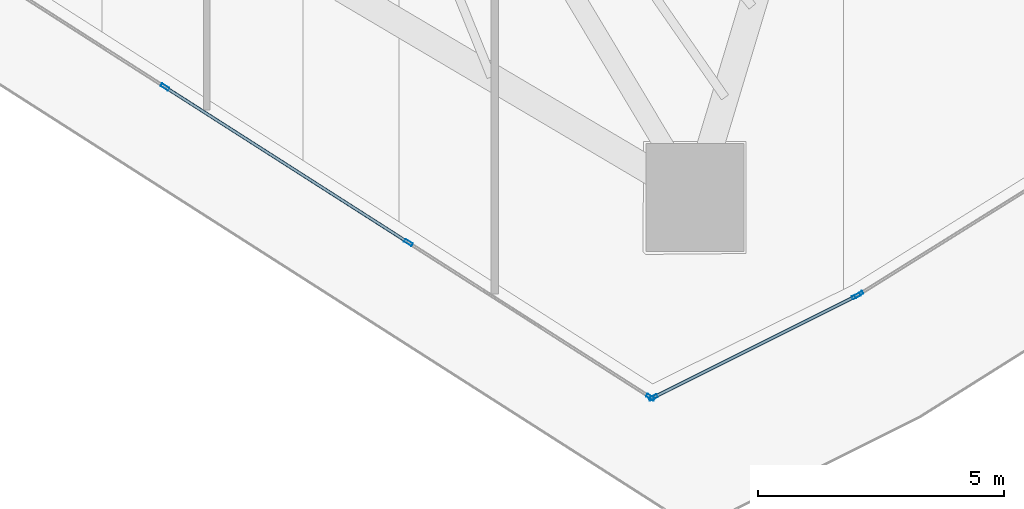
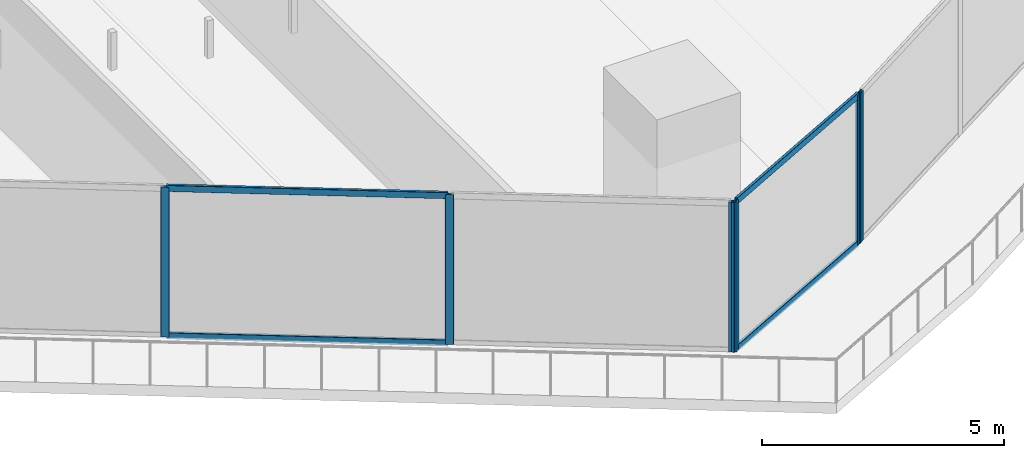
# One storey, part 8 of 39: 10 members, 3 elements without a shape of their own.
"""IFC4 building model written with IfcOpenShell, lengths in metres."""

from ifc_helpers import new_model, si_unit, direction, frame, origin, origin_2d, place, context, subcontext, project, spatial, hollow_rectangle, extrude, material, layer, layer_set, material_profile, profile_set, type_object, element, aggregate, save


model = new_model("IFC4")

# Units and contexts
model_context = context("Model", 3, precision=1e-05, world=origin(), true_north=direction((0.0, 1.0)))
body_context = subcontext(model_context, "Body", "Model", "MODEL_VIEW")
ifc_project = project(units=[si_unit("LENGTHUNIT", "METRE"), si_unit("AREAUNIT", "SQUARE_METRE"), si_unit("VOLUMEUNIT", "CUBIC_METRE"), si_unit("PLANEANGLEUNIT", "RADIAN"), si_unit("MASSUNIT", "GRAM", prefix="KILO")], contexts=[model_context])

# Site, building, storey
site_placement = place(None, origin())
site = spatial("IfcSite", under=ifc_project, at=site_placement, CompositionType="ELEMENT")
building_placement = place(site_placement, origin())
building = spatial("IfcBuilding", under=site, at=building_placement, Name="Qorvath Tower", CompositionType="ELEMENT")
storey_placement = place(building_placement, frame((0.0, 0.0, 162.449951171875)))
storey = spatial("IfcBuildingStorey", under=building, at=storey_placement, Name="L37", CompositionType="ELEMENT", Elevation=162.449951171875)

# Curtain wall, members
ifc_material_1 = material(Name="Anodised aluminium and triple low-E glass", Category="aluminium")
ifc_layer = layer(ifc_material_1, 0.179931640625)
ifc_layer_set = layer_set([ifc_layer], Name="CW-SYS-3")
curtain_wall_type = type_object("IfcCurtainWallType", Name="CW-SYS-3", PredefinedType="NOTDEFINED", material=ifc_layer_set)
curtain_wall_1_placement = place(storey_placement, origin())
curtain_wall_1 = element("IfcCurtainWall", 1, at=curtain_wall_1_placement, inside=storey, type_object=curtain_wall_type, Name="Curtain Wall CW-3 CW-T-L37-2.2", PredefinedType="NOTDEFINED")
ifc_material_2 = material(Name="Anodised aluminium 6063-T6", Category="aluminium")
ifc_material_profile_1 = material_profile(ifc_material_2, hollow_rectangle(XDim=0.06494140625, YDim=0.179931640625, WallThickness=0.00341796875, InnerFilletRadius=0.00341796875, OuterFilletRadius=0.007080078125, at=origin_2d()), Name="CWM 180x65")
ifc_profile_set_1 = profile_set([ifc_material_profile_1], Name="Anodised aluminium 6063-T6")
member_type_1 = type_object("IfcMemberType", Name="CWM-180", PredefinedType="MULLION", material=ifc_profile_set_1)
member_1_placement = place(storey_placement, frame((-26.135498046875, -22.99853515625, 0.0), z_axis=(0.0, 0.0, 1.0), x_axis=(0.53853971351, 0.842600128752, 0.0)))
member_1 = element("IfcMember", 2, at=member_1_placement, type_object=member_type_1, Name="CW-3 mullion 2", PredefinedType="MULLION", context=body_context, shape_type="SweptSolid", body=[
    extrude(hollow_rectangle(XDim=0.06494140625, YDim=0.179931640625, WallThickness=0.00341796875, InnerFilletRadius=0.00341796875, OuterFilletRadius=0.007080078125, at=origin_2d()), origin(), (0.0, 0.0, 1.0), 3.780029296875),
])
member_2_placement = place(storey_placement, frame((-21.178466796875, -26.16650390625, 0.0), z_axis=(0.0, 0.0, 1.0), x_axis=(0.53853971351, 0.842600128752, 0.0)))
member_2 = element("IfcMember", 3, at=member_2_placement, type_object=member_type_1, Name="CW-3 mullion 3", PredefinedType="MULLION", context=body_context, shape_type="SweptSolid", body=[
    extrude(hollow_rectangle(XDim=0.06494140625, YDim=0.179931640625, WallThickness=0.00341796875, InnerFilletRadius=0.00341796875, OuterFilletRadius=0.007080078125, at=origin_2d()), origin(), (0.0, 0.0, 1.0), 3.780029296875),
])
member_3_placement = place(storey_placement, frame((-16.2490234375, -29.317138671875, 0.0), z_axis=(0.0, 0.0, 1.0), x_axis=(0.53853971351, 0.842600128752, 0.0)))
member_3 = element("IfcMember", 4, at=member_3_placement, type_object=member_type_1, Name="CW-3 mullion 4", PredefinedType="MULLION", context=body_context, shape_type="SweptSolid", body=[
    extrude(hollow_rectangle(XDim=0.06494140625, YDim=0.179931640625, WallThickness=0.00341796875, InnerFilletRadius=0.00341796875, OuterFilletRadius=0.007080078125, at=origin_2d()), origin(), (0.0, 0.0, 1.0), 3.780029296875),
])

curtain_wall_2_placement = place(storey_placement, origin())
curtain_wall_2 = element("IfcCurtainWall", 5, at=curtain_wall_2_placement, inside=storey, type_object=curtain_wall_type, Name="Curtain Wall CW-3 CW-T-L37-3.1", PredefinedType="NOTDEFINED")
member_4_placement = place(storey_placement, frame((-16.192626953125, -29.320068359375, 0.0), z_axis=(0.0, 0.0, 1.0), x_axis=(-0.447187983169, 0.894439996707, 0.0)))
member_4 = element("IfcMember", 6, at=member_4_placement, type_object=member_type_1, Name="CW-3 mullion 1", PredefinedType="MULLION", context=body_context, shape_type="SweptSolid", body=[
    extrude(hollow_rectangle(XDim=0.06494140625, YDim=0.179931640625, WallThickness=0.00341796875, InnerFilletRadius=0.00341796875, OuterFilletRadius=0.007080078125, at=origin_2d()), origin(), (0.0, 0.0, 1.0), 3.780029296875),
])
member_5_placement = place(storey_placement, frame((-12.06005859375, -27.254150390625, 0.0), z_axis=(0.0, 0.0, 1.0), x_axis=(-0.447187983169, 0.894439996707, 0.0)))
member_5 = element("IfcMember", 7, at=member_5_placement, type_object=member_type_1, Name="CW-3 mullion 2", PredefinedType="MULLION", context=body_context, shape_type="SweptSolid", body=[
    extrude(hollow_rectangle(XDim=0.06494140625, YDim=0.179931640625, WallThickness=0.00341796875, InnerFilletRadius=0.00341796875, OuterFilletRadius=0.007080078125, at=origin_2d()), origin(), (0.0, 0.0, 1.0), 3.780029296875),
])

# Curtain wall, member
curtain_wall_3_placement = place(storey_placement, origin())
curtain_wall_3 = element("IfcCurtainWall", 8, at=curtain_wall_3_placement, inside=storey, type_object=curtain_wall_type, Name="Curtain Wall CW-3 CW-T-L37-4.1", PredefinedType="NOTDEFINED")
member_6_placement = place(storey_placement, frame((-12.00341796875, -27.222412109375, 0.0), z_axis=(0.0, 0.0, 1.0), x_axis=(-0.52938420478, 0.848382203803, 0.0)))
member_6 = element("IfcMember", 9, at=member_6_placement, type_object=member_type_1, Name="CW-3 mullion 1", PredefinedType="MULLION", context=body_context, shape_type="SweptSolid", body=[
    extrude(hollow_rectangle(XDim=0.06494140625, YDim=0.179931640625, WallThickness=0.00341796875, InnerFilletRadius=0.00341796875, OuterFilletRadius=0.007080078125, at=origin_2d()), origin(), (0.0, 0.0, 1.0), 3.780029296875),
])
aggregate(curtain_wall_3, [member_6])

# Member
ifc_material_3 = material(Name="Anodised aluminium 6063-T6", Category="aluminium")
ifc_material_profile_2 = material_profile(ifc_material_3, hollow_rectangle(XDim=0.06494140625, YDim=0.159912109375, WallThickness=0.00341796875, InnerFilletRadius=0.00341796875, OuterFilletRadius=0.007080078125, at=origin_2d()), Name="CWT 160x65")
ifc_profile_set_2 = profile_set([ifc_material_profile_2], Name="Anodised aluminium 6063-T6")
member_type_2 = type_object("IfcMemberType", Name="CWT-160", PredefinedType="USERDEFINED", material=ifc_profile_set_2)
member_7_placement = place(storey_placement, frame((-26.108154296875, -23.015869140625, 0.032470703125), z_axis=(0.842586769178, -0.538560615351, 0.0), x_axis=(0.538560615351, 0.842586769178, 0.0)))
member_7 = element("IfcMember", 10, at=member_7_placement, type_object=member_type_2, Name="CW-3 transom 2.1", ObjectType="TRANSOM", PredefinedType="USERDEFINED", context=body_context, shape_type="SweptSolid", body=[
    extrude(hollow_rectangle(XDim=0.06494140625, YDim=0.159912109375, WallThickness=0.00341796875, InnerFilletRadius=0.00341796875, OuterFilletRadius=0.007080078125, at=origin_2d()), origin(), (0.0, 0.0, 1.0), 5.81787109375),
])

member_8_placement = place(storey_placement, frame((-26.108154296875, -23.015869140625, 3.74755859375), z_axis=(0.842586769178, -0.538560615351, 0.0), x_axis=(0.538560615351, 0.842586769178, 0.0)))
member_8 = element("IfcMember", 11, at=member_8_placement, type_object=member_type_2, Name="CW-3 transom 2.2", ObjectType="TRANSOM", PredefinedType="USERDEFINED", context=body_context, shape_type="SweptSolid", body=[
    extrude(hollow_rectangle(XDim=0.06494140625, YDim=0.159912109375, WallThickness=0.00341796875, InnerFilletRadius=0.00341796875, OuterFilletRadius=0.007080078125, at=origin_2d()), origin(), (0.0, 0.0, 1.0), 5.81787109375),
])

aggregate(curtain_wall_1, [member_1, member_2, member_3, member_7, member_8])

member_9_placement = place(storey_placement, frame((-16.16357421875, -29.3056640625, 0.032470703125), z_axis=(0.894437909635, 0.447192157588, 0.0), x_axis=(-0.447192157588, 0.894437909635, 0.0)))
member_9 = element("IfcMember", 12, at=member_9_placement, type_object=member_type_2, Name="CW-3 transom 1.1", ObjectType="TRANSOM", PredefinedType="USERDEFINED", context=body_context, shape_type="SweptSolid", body=[
    extrude(hollow_rectangle(XDim=0.06494140625, YDim=0.159912109375, WallThickness=0.00341796875, InnerFilletRadius=0.00341796875, OuterFilletRadius=0.007080078125, at=origin_2d()), origin(), (0.0, 0.0, 1.0), 4.555419921875),
])

member_10_placement = place(storey_placement, frame((-16.16357421875, -29.3056640625, 3.74755859375), z_axis=(0.894437909635, 0.447192157588, 0.0), x_axis=(-0.447192157588, 0.894437909635, 0.0)))
member_10 = element("IfcMember", 13, at=member_10_placement, type_object=member_type_2, Name="CW-3 transom 1.2", ObjectType="TRANSOM", PredefinedType="USERDEFINED", context=body_context, shape_type="SweptSolid", body=[
    extrude(hollow_rectangle(XDim=0.06494140625, YDim=0.159912109375, WallThickness=0.00341796875, InnerFilletRadius=0.00341796875, OuterFilletRadius=0.007080078125, at=origin_2d()), origin(), (0.0, 0.0, 1.0), 4.555419921875),
])

aggregate(curtain_wall_2, [member_4, member_5, member_9, member_10])

save(model, "model.ifc")
